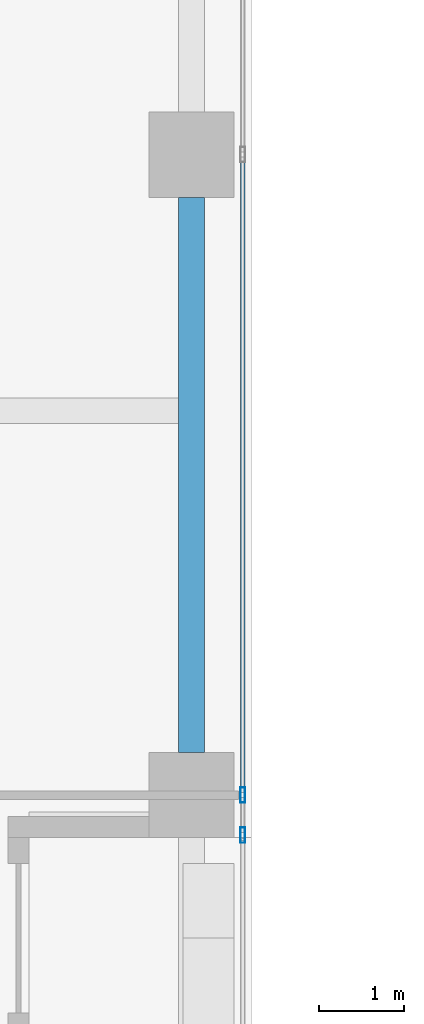
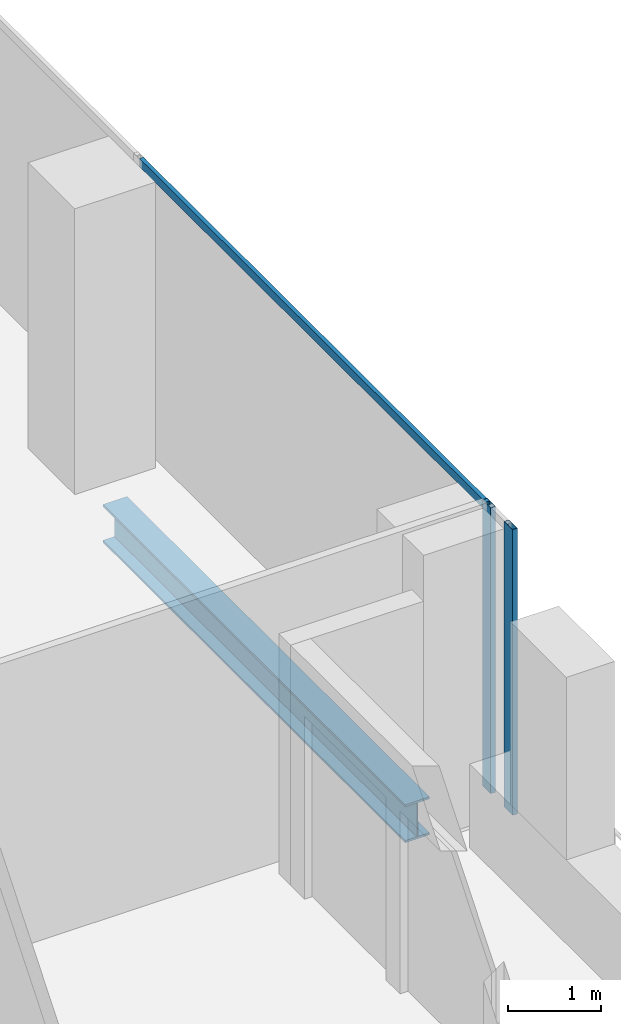
# One storey, part 16 of 40: 3 members, 1 beam, 1 element without a shape of its own.
"""IFC4 building model written with IfcOpenShell, lengths in metres."""

from ifc_helpers import new_model, si_unit, direction, frame, origin, origin_2d, place, context, subcontext, project, spatial, hollow_rectangle, i_section, extrude, source, transform, mapped, material, material_profile, profile_set, type_object, element, aggregate, save


model = new_model("IFC4")

# Units and contexts
model_context = context("Model", 3, precision=1e-05, world=origin(), true_north=direction((0.0, 1.0)))
body_context = subcontext(model_context, "Body", "Model", "MODEL_VIEW")
ifc_project = project(units=[si_unit("LENGTHUNIT", "METRE"), si_unit("AREAUNIT", "SQUARE_METRE"), si_unit("VOLUMEUNIT", "CUBIC_METRE"), si_unit("PLANEANGLEUNIT", "RADIAN"), si_unit("MASSUNIT", "GRAM", prefix="KILO")], contexts=[model_context])

# Site, building, storey
site_placement = place(None, origin())
site = spatial("IfcSite", under=ifc_project, at=site_placement, CompositionType="ELEMENT")
building_placement = place(site_placement, origin())
building = spatial("IfcBuilding", under=site, at=building_placement, Name="Khomas Fold Tower", CompositionType="ELEMENT")
storey_placement = place(building_placement, frame((0.0, 0.0, 204.699951171875)))
storey = spatial("IfcBuildingStorey", under=building, at=storey_placement, Name="L45", CompositionType="ELEMENT", Elevation=204.699951171875)

# Beam
ifc_material_1 = material(Name="Steel S355", Category="steel")
ifc_material_profile_1 = material_profile(ifc_material_1, i_section(OverallWidth=0.300048828125, OverallDepth=0.5, WebThickness=0.014404296875, FlangeThickness=0.028076171875, at=origin_2d()), Name="HE 500 B")
ifc_profile_set_1 = profile_set([ifc_material_profile_1], Name="Steel S355")
beam_type = type_object("IfcBeamType", Name="HE 500 B spandrel SB3", PredefinedType="SPANDREL", material=ifc_profile_set_1)
shared_shape_1 = source(origin(), body_context, "Body", "SweptSolid", [
    extrude(i_section(OverallWidth=0.300048828125, OverallDepth=0.5, WebThickness=0.014404296875, FlangeThickness=0.028076171875, at=origin_2d()), origin(), (0.0, 0.0, 1.0), 6.5),
])
beam_placement = place(storey_placement, frame((50.300048828125, 27.5, -0.5), z_axis=(0.0, 1.0, 0.0), x_axis=(-1.0, 0.0, 0.0)))
element("IfcBeam", 1, at=beam_placement, inside=storey, type_object=beam_type, Name="SB3", PredefinedType="SPANDREL", context=body_context, shape_type="MappedRepresentation", body=[
    mapped(shared_shape_1, transform((0.0, 0.0, 0.0))),
])

# Curtain wall, members
ifc_material_2 = material(Name="Aluminium framed double glazing", Category="aluminium")
curtain_wall_type = type_object("IfcCurtainWallType", Name="SK-Unitised clear-glass wall, office floors CW2", PredefinedType="NOTDEFINED", material=ifc_material_2)
curtain_wall_placement = place(storey_placement, origin())
curtain_wall = element("IfcCurtainWall", 2, at=curtain_wall_placement, inside=storey, type_object=curtain_wall_type, Name="CW2 run L45 03-1", PredefinedType="NOTDEFINED")
ifc_material_3 = material(Name="Aluminium", Category="aluminium")
ifc_material_profile_2 = material_profile(ifc_material_3, hollow_rectangle(XDim=0.06005859375, YDim=0.179931640625, WallThickness=0.00390625, at=origin_2d()), Name="SK-Unitised clear-glass wall, office floors mullion CW2-M")
ifc_profile_set_2 = profile_set([ifc_material_profile_2], Name="Aluminium")
member_type_1 = type_object("IfcMemberType", Name="SK-Unitised clear-glass wall, office floors mullion CW2-M", PredefinedType="MULLION", material=ifc_profile_set_2)
shared_shape_2 = source(origin(), body_context, "Body", "SweptSolid", [
    extrude(hollow_rectangle(XDim=0.06005859375, YDim=0.179931640625, WallThickness=0.00390625, at=origin_2d()), origin(), (0.0, 0.0, 1.0), 3.75),
])
member_1_placement = place(storey_placement, frame((50.89990234375, 26.530029296875, 0.0), z_axis=(0.0, 0.0, 1.0), x_axis=(-1.0, 0.0, 0.0)))
member_1 = element("IfcMember", 3, at=member_1_placement, type_object=member_type_1, Name="CW2 mullion 1", PredefinedType="MULLION", context=body_context, shape_type="MappedRepresentation", body=[
    mapped(shared_shape_2, transform((0.0, 0.0, 0.0))),
])
member_2_placement = place(storey_placement, frame((50.89990234375, 27.0, 0.0), z_axis=(0.0, 0.0, 1.0), x_axis=(-1.0, 0.0, 0.0)))
member_2 = element("IfcMember", 4, at=member_2_placement, type_object=member_type_1, Name="CW2 mullion 2", PredefinedType="MULLION", context=body_context, shape_type="MappedRepresentation", body=[
    mapped(shared_shape_2, transform((0.0, 0.0, 0.0))),
])
ifc_material_4 = material(Name="Aluminium", Category="aluminium")
ifc_material_profile_3 = material_profile(ifc_material_4, hollow_rectangle(XDim=0.050048828125, YDim=0.110107421875, WallThickness=0.00390625, at=origin_2d()), Name="SK-Unitised clear-glass wall, office floors transom CW2-T")
ifc_profile_set_3 = profile_set([ifc_material_profile_3], Name="Aluminium")
member_type_2 = type_object("IfcMemberType", Name="SK-Unitised clear-glass wall, office floors transom CW2-T", PredefinedType="USERDEFINED", material=ifc_profile_set_3)
shared_shape_3 = source(origin(), body_context, "Body", "SweptSolid", [
    extrude(hollow_rectangle(XDim=0.050048828125, YDim=0.110107421875, WallThickness=0.00390625, at=origin_2d()), origin(), (0.0, 0.0, 1.0), 7.43994140625),
])
member_3_placement = place(storey_placement, frame((50.89990234375, 27.030029296875, 3.695068359375), z_axis=(0.0, 1.0, 0.0), x_axis=(-1.0, 0.0, 0.0)))
member_3 = element("IfcMember", 5, at=member_3_placement, type_object=member_type_2, Name="CW2 transom 2", ObjectType="TRANSOM", PredefinedType="USERDEFINED", context=body_context, shape_type="MappedRepresentation", body=[
    mapped(shared_shape_3, transform((0.0, 0.0, 0.0))),
])
aggregate(curtain_wall, [member_1, member_2, member_3])

save(model, "model.ifc")
